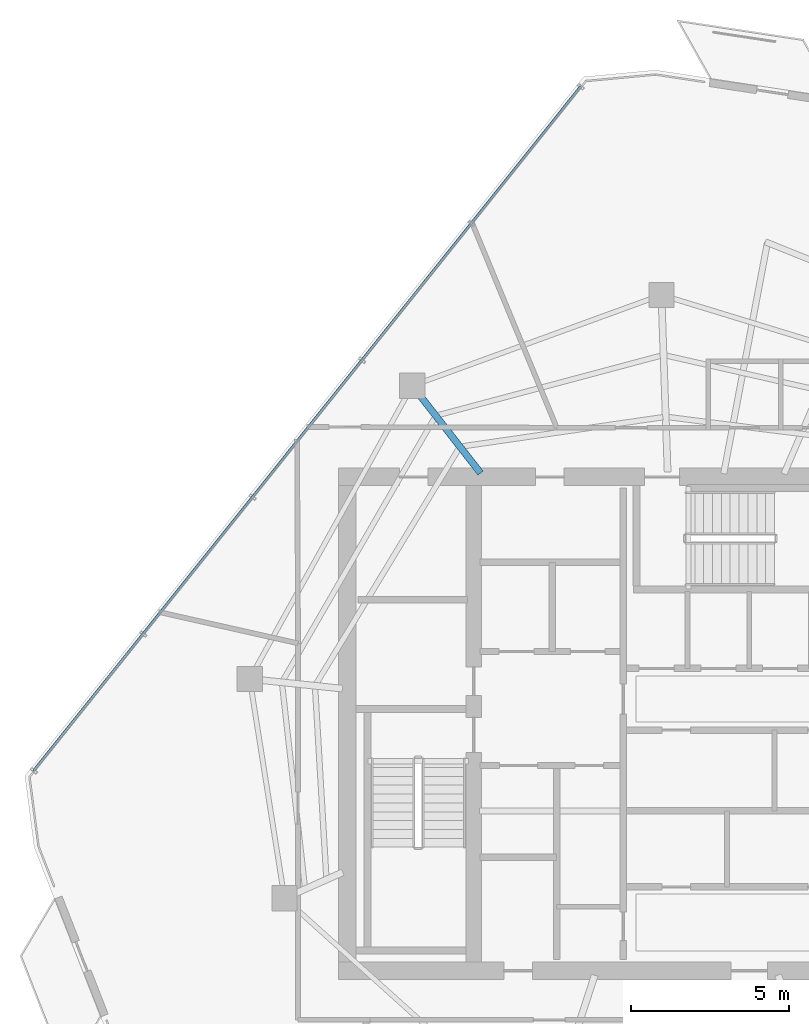
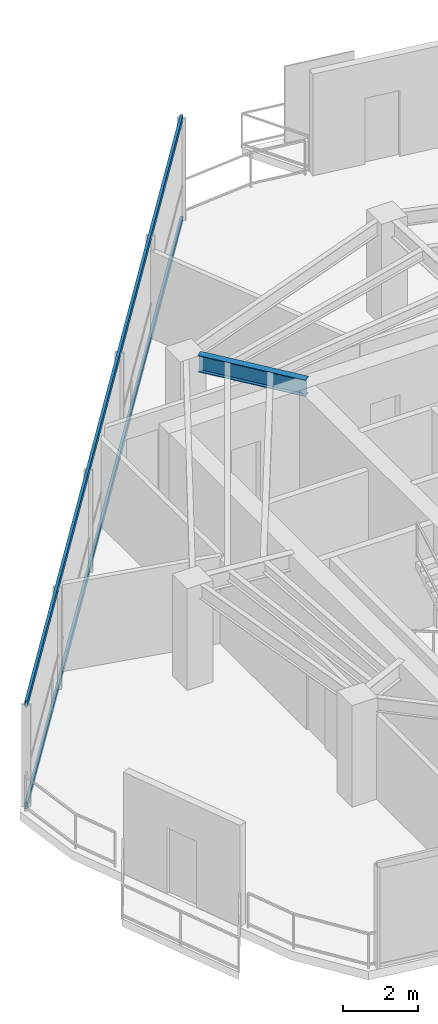
# One storey, part 7 of 19: 2 members, 1 beam, 1 element without a shape of its own.
"""IFC4 building model written with IfcOpenShell, lengths in metres."""

from ifc_helpers import new_model, si_unit, direction, frame, origin, origin_2d, place, context, subcontext, project, spatial, hollow_rectangle, i_section, extrude, material, layer, layer_set, material_profile, profile_set, type_object, element, aggregate, save


model = new_model("IFC4")

# Units and contexts
model_context = context("Model", 3, precision=1e-05, world=origin(), true_north=direction((0.0, 1.0)))
body_context = subcontext(model_context, "Body", "Model", "MODEL_VIEW")
ifc_project = project(units=[si_unit("LENGTHUNIT", "METRE"), si_unit("AREAUNIT", "SQUARE_METRE"), si_unit("VOLUMEUNIT", "CUBIC_METRE"), si_unit("PLANEANGLEUNIT", "RADIAN"), si_unit("MASSUNIT", "GRAM", prefix="KILO")], contexts=[model_context])

# Site, building, storey
site_placement = place(None, origin())
site = spatial("IfcSite", under=ifc_project, at=site_placement, CompositionType="ELEMENT")
building_placement = place(site_placement, origin())
building = spatial("IfcBuilding", under=site, at=building_placement, Name="Qarnah Convention Tower", CompositionType="ELEMENT")
storey_placement = place(building_placement, frame((0.0, 0.0, 260.699951171875)))
storey = spatial("IfcBuildingStorey", under=building, at=storey_placement, Name="L70", CompositionType="ELEMENT", Elevation=260.699951171875)

# Beam
ifc_material_1 = material(Name="Structural steel S355JR", Category="steel")
ifc_material_profile_1 = material_profile(ifc_material_1, i_section(OverallWidth=0.2119140625, OverallDepth=0.5400390625, WebThickness=0.011962890625, FlangeThickness=0.01904296875, at=origin_2d()), Name="W530X109")
ifc_profile_set_1 = profile_set([ifc_material_profile_1], Name="Structural steel S355JR")
beam_type = type_object("IfcBeamType", Name="BM-RAD-W530A", PredefinedType="BEAM", material=ifc_profile_set_1)
beam_placement = place(storey_placement, frame((31.013916015625, 34.318115234375, 3.050048828125), z_axis=(-0.61549837076, 0.78813815768, 0.0), x_axis=(-0.78813815768, -0.61549837076, 0.0)))
element("IfcBeam", 1, at=beam_placement, inside=storey, type_object=beam_type, Name="L70 beam BM-L70-RAD-04", PredefinedType="BEAM", context=body_context, shape_type="SweptSolid", body=[
    extrude(i_section(OverallWidth=0.2119140625, OverallDepth=0.5400390625, WebThickness=0.011962890625, FlangeThickness=0.01904296875, at=origin_2d()), origin(), (0.0, 0.0, 1.0), 3.12255859375),
])

# Curtain wall, members
ifc_material_2 = material(Name="Tempered Low-E dark glass", Category="glass")
ifc_layer = layer(ifc_material_2, 0.176025390625)
ifc_layer_set = layer_set([ifc_layer], Name="Tempered Low-E dark glass")
curtain_wall_type = type_object("IfcCurtainWallType", Name="CWS-05", PredefinedType="NOTDEFINED", material=ifc_layer_set)
curtain_wall_placement = place(storey_placement, origin())
curtain_wall = element("IfcCurtainWall", 2, at=curtain_wall_placement, inside=storey, type_object=curtain_wall_type, Name="L70 unitised curtain wall CW-L70-F3", PredefinedType="NOTDEFINED")
ifc_material_3 = material(Name="Black anodised aluminium", Category="aluminium")
ifc_material_profile_2 = material_profile(ifc_material_3, hollow_rectangle(XDim=0.080078125, YDim=0.2099609375, WallThickness=0.0048828125, at=origin_2d()), Name="TRN-80X210")
ifc_profile_set_2 = profile_set([ifc_material_profile_2], Name="Black anodised aluminium")
member_type = type_object("IfcMemberType", Name="TRN-T5", PredefinedType="USERDEFINED", material=ifc_profile_set_2)
member_1_placement = place(storey_placement, frame((16.904052734375, 24.9169921875, 0.0), z_axis=(0.62441732182, 0.781090909056, 0.0), x_axis=(-0.781090909056, 0.62441732182, 0.0)))
member_1 = element("IfcMember", 3, at=member_1_placement, type_object=member_type, Name="CW-L70-F3 transom 1", ObjectType="TRANSOM", PredefinedType="USERDEFINED", context=body_context, shape_type="SweptSolid", body=[
    extrude(hollow_rectangle(XDim=0.080078125, YDim=0.2099609375, WallThickness=0.0048828125, at=origin_2d()), origin(), (0.0, 0.0, 1.0), 27.66259765625),
])
member_2_placement = place(storey_placement, frame((16.904052734375, 24.9169921875, 3.320068359375), z_axis=(0.62441732182, 0.781090909056, 0.0), x_axis=(-0.781090909056, 0.62441732182, 0.0)))
member_2 = element("IfcMember", 4, at=member_2_placement, type_object=member_type, Name="CW-L70-F3 transom 2", ObjectType="TRANSOM", PredefinedType="USERDEFINED", context=body_context, shape_type="SweptSolid", body=[
    extrude(hollow_rectangle(XDim=0.080078125, YDim=0.2099609375, WallThickness=0.0048828125, at=origin_2d()), origin(), (0.0, 0.0, 1.0), 27.66259765625),
])
aggregate(curtain_wall, [member_1, member_2])

save(model, "model.ifc")
